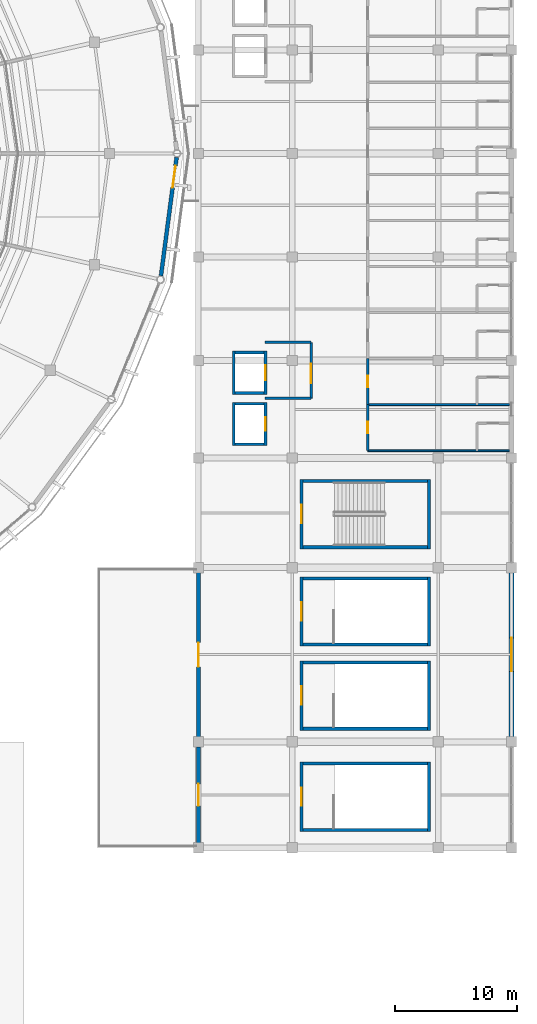
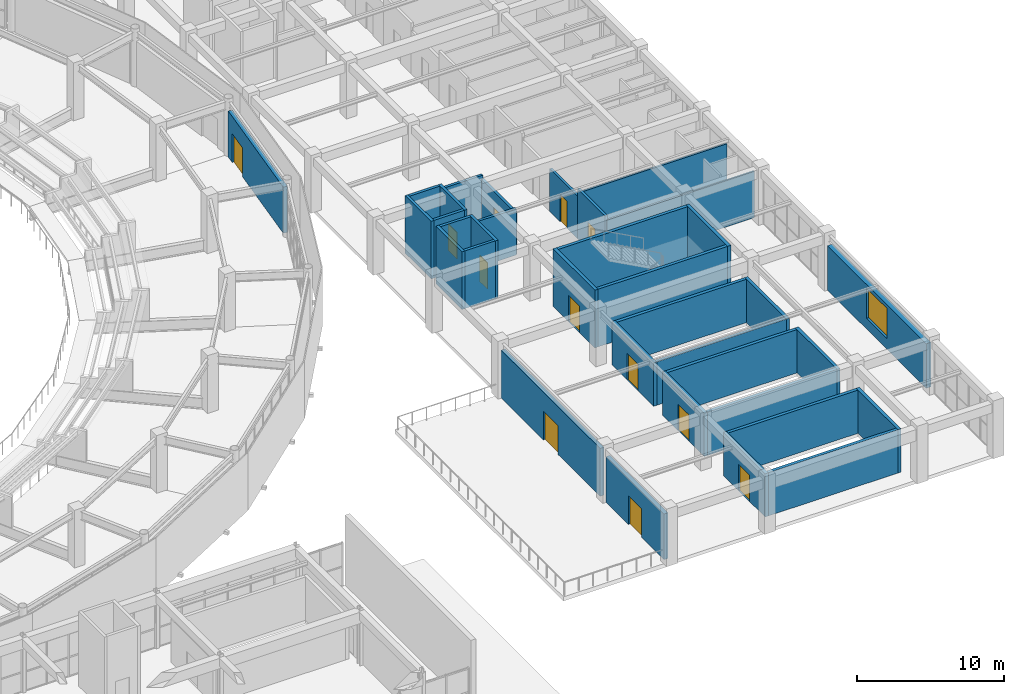
# One storey, part 103 of 122: 35 walls, 12 doors, 1 window, 13 openings.
"""IFC4 building model written with IfcOpenShell, lengths in metres."""

from ifc_helpers import new_model, si_unit, direction, frame, frame_2d, origin, place, context, subcontext, project, spatial, rectangle, extrude, material, layer, layer_set, type_object, element, fill, save


model = new_model("IFC4")

# Units and contexts
model_context = context("Model", 3, precision=1e-05, world=origin(), true_north=direction((0.0, 1.0)))
body_context = subcontext(model_context, "Body", "Model", "MODEL_VIEW")
ifc_project = project(units=[si_unit("LENGTHUNIT", "METRE"), si_unit("AREAUNIT", "SQUARE_METRE"), si_unit("VOLUMEUNIT", "CUBIC_METRE"), si_unit("PLANEANGLEUNIT", "RADIAN"), si_unit("MASSUNIT", "GRAM", prefix="KILO")], contexts=[model_context])

# Site, building, storey
site_placement = place(None, origin())
site = spatial("IfcSite", under=ifc_project, at=site_placement, CompositionType="ELEMENT")
building_placement = place(site_placement, origin())
building = spatial("IfcBuilding", under=site, at=building_placement, Name="Cuetzalor Civic Arena", CompositionType="ELEMENT")
storey_placement = place(building_placement, frame((0.0, 0.0, 16.199951171875)))
storey = spatial("IfcBuildingStorey", under=building, at=storey_placement, Name="L03", CompositionType="ELEMENT", Elevation=16.199951171875)

# Walls
ifc_material_1 = material(Name="Acoustic steel-stud gypsum partition", Category="steel")
ifc_layer_1 = layer(ifc_material_1, 0.14990234375)
ifc_layer_set_1 = layer_set([ifc_layer_1], Name="Acoustic steel-stud gypsum partition")
wall_type_1 = type_object("IfcWallType", Name="AcousticGypsumPartition_150", PredefinedType="PARTITIONING", material=ifc_layer_set_1)
for number, where, z_axis, x_axis, name in (
    (1, (70.199951171875, -24.39990234375, 0.0), (0.0, 0.0, 1.0), (1.0, 0.0, 0.0), "Interior Partition IWALL:L03:0438"),
    (2, (70.199951171875, -20.6201171875, 0.0), (0.0, 0.0, 1.0), (1.0, 0.0, 0.0), "Interior Partition IWALL:L03:0442"),
):
    element("IfcWall", number, at=place(storey_placement, frame(where, z_axis=z_axis, x_axis=x_axis)), inside=storey, type_object=wall_type_1, Name=name, PredefinedType="PARTITIONING", context=body_context, shape_type="SweptSolid", body=[
        extrude(rectangle(XDim=11.6201171875, YDim=0.14990234375, at=frame_2d((5.81005859375, 0.0))), origin(), (0.0, 0.0, 1.0), 3.844970703125),
    ])

# Wall, opening, door
ifc_material_2 = material(Name="Concrete C40/50", Category="concrete")
ifc_layer_2 = layer(ifc_material_2, 0.25)
ifc_layer_set_2 = layer_set([ifc_layer_2], Name="Concrete C40/50")
wall_type_2 = type_object("IfcWallType", Name="ConcreteCoreShearWall_250", PredefinedType="SHEAR", material=ifc_layer_set_2)
wall_1_placement = place(storey_placement, frame((64.77490234375, -55.64990234375, 0.0), z_axis=(0.0, 0.0, 1.0), x_axis=(0.0, 1.0, 0.0)))
wall_1 = element("IfcWall", 3, at=wall_1_placement, inside=storey, type_object=wall_type_2, Name="Stair Core Shear Wall ST-18-L03-W", PredefinedType="SHEAR", context=body_context, shape_type="SweptSolid", body=[
    extrude(rectangle(XDim=5.699951171875, YDim=0.25, at=frame_2d((2.85009765625, 0.0))), origin(), (0.0, 0.0, 1.0), 3.60009765625),
])
opening_1_placement = place(wall_1_placement, frame((2.10009765625, 0.0, 0.0)))
opening_1 = element("IfcOpeningElement", 4, at=opening_1_placement, cuts=wall_1, Name="Opening FD-03", PredefinedType="OPENING", context=body_context, shape_type="SweptSolid", body=[
    extrude(rectangle(XDim=1.5, YDim=2.199951171875, at=frame_2d((0.75, 1.10009765625))), frame((0.0, 0.135009765625, 0.0), z_axis=(0.0, -1.0, 0.0), x_axis=(1.0, 0.0, 0.0)), (0.0, 0.0, 1.0), 0.27001953125),
])
ifc_material_3 = material(Name="Fire-rated steel stair exit double door", Category="steel")
door_type_1 = type_object("IfcDoorType", Name="StairFireDoubleDoor_1500x2200", OperationType="DOUBLE_DOOR_SINGLE_SWING", PredefinedType="DOOR", material=ifc_material_3)
door_1_placement = place(opening_1_placement, origin())
door_1 = element("IfcDoor", 5, at=door_1_placement, inside=storey, type_object=door_type_1, Name="Fire Stair Door ST-18 L03", OperationType="DOUBLE_DOOR_SINGLE_SWING", OverallHeight=2.199951171875, OverallWidth=1.5, PredefinedType="DOOR", context=body_context, shape_type="SweptSolid", body=[
    extrude(rectangle(XDim=1.5, YDim=2.199951171875, at=frame_2d((0.75, 1.10009765625))), frame((0.0, 0.02490234375, 0.0), z_axis=(0.0, -1.0, 0.0), x_axis=(1.0, 0.0, 0.0)), (0.0, 0.0, 1.0), 0.050048828125),
])
fill(opening_1, door_1)

# Walls
wall_2_placement = place(storey_placement, frame((64.89990234375, -50.074951171875, 0.0), z_axis=(0.0, 0.0, 1.0), x_axis=(1.0, 0.0, 0.0)))
element("IfcWall", 6, at=wall_2_placement, inside=storey, type_object=wall_type_2, Name="Stair Core Shear Wall ST-18-L03-N", PredefinedType="SHEAR", context=body_context, shape_type="SweptSolid", body=[
    extrude(rectangle(XDim=10.2001953125, YDim=0.25, at=frame_2d((5.10009765625, 0.0))), origin(), (0.0, 0.0, 1.0), 3.60009765625),
])
wall_3_placement = place(storey_placement, frame((75.22509765625, -49.949951171875, 0.0), z_axis=(0.0, 0.0, 1.0), x_axis=(0.0, -1.0, 0.0)))
element("IfcWall", 7, at=wall_3_placement, inside=storey, type_object=wall_type_2, Name="Stair Core Shear Wall ST-18-L03-E", PredefinedType="SHEAR", context=body_context, shape_type="SweptSolid", body=[
    extrude(rectangle(XDim=5.699951171875, YDim=0.25, at=frame_2d((2.85009765625, 0.0))), origin(), (0.0, 0.0, 1.0), 3.60009765625),
])
wall_4_placement = place(storey_placement, frame((75.10009765625, -55.52490234375, 0.0), z_axis=(0.0, 0.0, 1.0), x_axis=(-1.0, 0.0, 0.0)))
element("IfcWall", 8, at=wall_4_placement, inside=storey, type_object=wall_type_2, Name="Stair Core Shear Wall ST-18-L03-S", PredefinedType="SHEAR", context=body_context, shape_type="SweptSolid", body=[
    extrude(rectangle(XDim=10.2001953125, YDim=0.25, at=frame_2d((5.10009765625, 0.0))), origin(), (0.0, 0.0, 1.0), 3.60009765625),
])

# Wall, opening, door
wall_5_placement = place(storey_placement, frame((64.77490234375, -47.35009765625, 0.0), z_axis=(0.0, 0.0, 1.0), x_axis=(0.0, 1.0, 0.0)))
wall_5 = element("IfcWall", 9, at=wall_5_placement, inside=storey, type_object=wall_type_2, Name="Stair Core Shear Wall ST-19-L03-W", PredefinedType="SHEAR", context=body_context, shape_type="SweptSolid", body=[
    extrude(rectangle(XDim=5.7001953125, YDim=0.25, at=frame_2d((2.85009765625, 0.0))), origin(), (0.0, 0.0, 1.0), 3.60009765625),
])
opening_2_placement = place(wall_5_placement, frame((2.10009765625, 0.0, 0.0)))
opening_2 = element("IfcOpeningElement", 10, at=opening_2_placement, cuts=wall_5, Name="Opening FD-03", PredefinedType="OPENING", context=body_context, shape_type="SweptSolid", body=[
    extrude(rectangle(XDim=1.5, YDim=2.199951171875, at=frame_2d((0.75, 1.10009765625))), frame((0.0, 0.135009765625, 0.0), z_axis=(0.0, -1.0, 0.0), x_axis=(1.0, 0.0, 0.0)), (0.0, 0.0, 1.0), 0.27001953125),
])
door_2_placement = place(opening_2_placement, origin())
door_2 = element("IfcDoor", 11, at=door_2_placement, inside=storey, type_object=door_type_1, Name="Fire Stair Door ST-19 L03", OperationType="DOUBLE_DOOR_SINGLE_SWING", OverallHeight=2.199951171875, OverallWidth=1.5, PredefinedType="DOOR", context=body_context, shape_type="SweptSolid", body=[
    extrude(rectangle(XDim=1.5, YDim=2.199951171875, at=frame_2d((0.75, 1.10009765625))), frame((0.0, 0.02490234375, 0.0), z_axis=(0.0, -1.0, 0.0), x_axis=(1.0, 0.0, 0.0)), (0.0, 0.0, 1.0), 0.050048828125),
])
fill(opening_2, door_2)

# Walls
wall_6_placement = place(storey_placement, frame((64.89990234375, -41.77490234375, 0.0), z_axis=(0.0, 0.0, 1.0), x_axis=(1.0, 0.0, 0.0)))
element("IfcWall", 12, at=wall_6_placement, inside=storey, type_object=wall_type_2, Name="Stair Core Shear Wall ST-19-L03-N", PredefinedType="SHEAR", context=body_context, shape_type="SweptSolid", body=[
    extrude(rectangle(XDim=10.2001953125, YDim=0.25, at=frame_2d((5.10009765625, 0.0))), origin(), (0.0, 0.0, 1.0), 3.60009765625),
])
wall_7_placement = place(storey_placement, frame((75.22509765625, -41.64990234375, 0.0), z_axis=(0.0, 0.0, 1.0), x_axis=(0.0, -1.0, 0.0)))
element("IfcWall", 13, at=wall_7_placement, inside=storey, type_object=wall_type_2, Name="Stair Core Shear Wall ST-19-L03-E", PredefinedType="SHEAR", context=body_context, shape_type="SweptSolid", body=[
    extrude(rectangle(XDim=5.7001953125, YDim=0.25, at=frame_2d((2.85009765625, 0.0))), origin(), (0.0, 0.0, 1.0), 3.60009765625),
])
wall_8_placement = place(storey_placement, frame((75.10009765625, -47.22509765625, 0.0), z_axis=(0.0, 0.0, 1.0), x_axis=(-1.0, 0.0, 0.0)))
element("IfcWall", 14, at=wall_8_placement, inside=storey, type_object=wall_type_2, Name="Stair Core Shear Wall ST-19-L03-S", PredefinedType="SHEAR", context=body_context, shape_type="SweptSolid", body=[
    extrude(rectangle(XDim=10.2001953125, YDim=0.25, at=frame_2d((5.10009765625, 0.0))), origin(), (0.0, 0.0, 1.0), 3.60009765625),
])

# Wall, opening, door
wall_9_placement = place(storey_placement, frame((64.77490234375, -40.449951171875, 0.0), z_axis=(0.0, 0.0, 1.0), x_axis=(0.0, 1.0, 0.0)))
wall_9 = element("IfcWall", 15, at=wall_9_placement, inside=storey, type_object=wall_type_2, Name="Stair Core Shear Wall ST-20-L03-W", PredefinedType="SHEAR", context=body_context, shape_type="SweptSolid", body=[
    extrude(rectangle(XDim=5.699951171875, YDim=0.25, at=frame_2d((2.85009765625, 0.0))), origin(), (0.0, 0.0, 1.0), 3.60009765625),
])
opening_3_placement = place(wall_9_placement, frame((2.10009765625, 0.0, 0.0)))
opening_3 = element("IfcOpeningElement", 16, at=opening_3_placement, cuts=wall_9, Name="Opening FD-03", PredefinedType="OPENING", context=body_context, shape_type="SweptSolid", body=[
    extrude(rectangle(XDim=1.5, YDim=2.199951171875, at=frame_2d((0.75, 1.10009765625))), frame((0.0, 0.135009765625, 0.0), z_axis=(0.0, -1.0, 0.0), x_axis=(1.0, 0.0, 0.0)), (0.0, 0.0, 1.0), 0.27001953125),
])
door_3_placement = place(opening_3_placement, origin())
door_3 = element("IfcDoor", 17, at=door_3_placement, inside=storey, type_object=door_type_1, Name="Fire Stair Door ST-20 L03", OperationType="DOUBLE_DOOR_SINGLE_SWING", OverallHeight=2.199951171875, OverallWidth=1.5, PredefinedType="DOOR", context=body_context, shape_type="SweptSolid", body=[
    extrude(rectangle(XDim=1.5, YDim=2.199951171875, at=frame_2d((0.75, 1.10009765625))), frame((0.0, 0.02490234375, 0.0), z_axis=(0.0, -1.0, 0.0), x_axis=(1.0, 0.0, 0.0)), (0.0, 0.0, 1.0), 0.050048828125),
])
fill(opening_3, door_3)

# Walls
wall_10_placement = place(storey_placement, frame((64.89990234375, -34.875, 0.0), z_axis=(0.0, 0.0, 1.0), x_axis=(1.0, 0.0, 0.0)))
element("IfcWall", 18, at=wall_10_placement, inside=storey, type_object=wall_type_2, Name="Stair Core Shear Wall ST-20-L03-N", PredefinedType="SHEAR", context=body_context, shape_type="SweptSolid", body=[
    extrude(rectangle(XDim=10.2001953125, YDim=0.25, at=frame_2d((5.10009765625, 0.0))), origin(), (0.0, 0.0, 1.0), 3.60009765625),
])
wall_11_placement = place(storey_placement, frame((75.22509765625, -34.75, 0.0), z_axis=(0.0, 0.0, 1.0), x_axis=(0.0, -1.0, 0.0)))
element("IfcWall", 19, at=wall_11_placement, inside=storey, type_object=wall_type_2, Name="Stair Core Shear Wall ST-20-L03-E", PredefinedType="SHEAR", context=body_context, shape_type="SweptSolid", body=[
    extrude(rectangle(XDim=5.699951171875, YDim=0.25, at=frame_2d((2.85009765625, 0.0))), origin(), (0.0, 0.0, 1.0), 3.60009765625),
])
wall_12_placement = place(storey_placement, frame((75.10009765625, -40.324951171875, 0.0), z_axis=(0.0, 0.0, 1.0), x_axis=(-1.0, 0.0, 0.0)))
element("IfcWall", 20, at=wall_12_placement, inside=storey, type_object=wall_type_2, Name="Stair Core Shear Wall ST-20-L03-S", PredefinedType="SHEAR", context=body_context, shape_type="SweptSolid", body=[
    extrude(rectangle(XDim=10.2001953125, YDim=0.25, at=frame_2d((5.10009765625, 0.0))), origin(), (0.0, 0.0, 1.0), 3.60009765625),
])

# Wall, opening, door
wall_13_placement = place(storey_placement, frame((64.77490234375, -32.449951171875, 0.0), z_axis=(0.0, 0.0, 1.0), x_axis=(0.0, 1.0, 0.0)))
wall_13 = element("IfcWall", 21, at=wall_13_placement, inside=storey, type_object=wall_type_2, Name="Stair Core Shear Wall ST-21-L03-W", PredefinedType="SHEAR", context=body_context, shape_type="SweptSolid", body=[
    extrude(rectangle(XDim=5.699951171875, YDim=0.25, at=frame_2d((2.85009765625, 0.0))), origin(), (0.0, 0.0, 1.0), 4.800048828125),
])
opening_4_placement = place(wall_13_placement, frame((2.10009765625, 0.0, 0.0)))
opening_4 = element("IfcOpeningElement", 22, at=opening_4_placement, cuts=wall_13, Name="Opening FD-03", PredefinedType="OPENING", context=body_context, shape_type="SweptSolid", body=[
    extrude(rectangle(XDim=1.5, YDim=2.199951171875, at=frame_2d((0.75, 1.10009765625))), frame((0.0, 0.135009765625, 0.0), z_axis=(0.0, -1.0, 0.0), x_axis=(1.0, 0.0, 0.0)), (0.0, 0.0, 1.0), 0.27001953125),
])
door_4_placement = place(opening_4_placement, origin())
door_4 = element("IfcDoor", 23, at=door_4_placement, inside=storey, type_object=door_type_1, Name="Fire Stair Door ST-21 L03", OperationType="DOUBLE_DOOR_SINGLE_SWING", OverallHeight=2.199951171875, OverallWidth=1.5, PredefinedType="DOOR", context=body_context, shape_type="SweptSolid", body=[
    extrude(rectangle(XDim=1.5, YDim=2.199951171875, at=frame_2d((0.75, 1.10009765625))), frame((0.0, 0.02490234375, 0.0), z_axis=(0.0, -1.0, 0.0), x_axis=(1.0, 0.0, 0.0)), (0.0, 0.0, 1.0), 0.050048828125),
])
fill(opening_4, door_4)

# Walls
wall_14_placement = place(storey_placement, frame((64.89990234375, -26.875, 0.0), z_axis=(0.0, 0.0, 1.0), x_axis=(1.0, 0.0, 0.0)))
element("IfcWall", 24, at=wall_14_placement, inside=storey, type_object=wall_type_2, Name="Stair Core Shear Wall ST-21-L03-N", PredefinedType="SHEAR", context=body_context, shape_type="SweptSolid", body=[
    extrude(rectangle(XDim=10.2001953125, YDim=0.25, at=frame_2d((5.10009765625, 0.0))), origin(), (0.0, 0.0, 1.0), 4.800048828125),
])
wall_15_placement = place(storey_placement, frame((75.22509765625, -26.75, 0.0), z_axis=(0.0, 0.0, 1.0), x_axis=(0.0, -1.0, 0.0)))
element("IfcWall", 25, at=wall_15_placement, inside=storey, type_object=wall_type_2, Name="Stair Core Shear Wall ST-21-L03-E", PredefinedType="SHEAR", context=body_context, shape_type="SweptSolid", body=[
    extrude(rectangle(XDim=5.699951171875, YDim=0.25, at=frame_2d((2.85009765625, 0.0))), origin(), (0.0, 0.0, 1.0), 4.800048828125),
])
wall_16_placement = place(storey_placement, frame((75.10009765625, -32.324951171875, 0.0), z_axis=(0.0, 0.0, 1.0), x_axis=(-1.0, 0.0, 0.0)))
element("IfcWall", 26, at=wall_16_placement, inside=storey, type_object=wall_type_2, Name="Stair Core Shear Wall ST-21-L03-S", PredefinedType="SHEAR", context=body_context, shape_type="SweptSolid", body=[
    extrude(rectangle(XDim=10.2001953125, YDim=0.25, at=frame_2d((5.10009765625, 0.0))), origin(), (0.0, 0.0, 1.0), 4.800048828125),
])

# Wall, opening, door
ifc_material_4 = material(Name="Fire-rated masonry and gypsum partition", Category="masonry")
ifc_layer_3 = layer(ifc_material_4, 0.199951171875)
ifc_layer_set_3 = layer_set([ifc_layer_3], Name="Fire-rated masonry and gypsum partition")
wall_type_3 = type_object("IfcWallType", Name="FireCompartmentWall_200", PredefinedType="PARTITIONING", material=ifc_layer_set_3)
wall_17_placement = place(storey_placement, frame((65.550048828125, -15.5, 0.0), z_axis=(0.0, 0.0, 1.0), x_axis=(0.0, -1.0, 0.0)))
wall_17 = element("IfcWall", 27, at=wall_17_placement, inside=storey, type_object=wall_type_3, Name="Interior Partition IWALL:L03:0046", PredefinedType="PARTITIONING", context=body_context, shape_type="SweptSolid", body=[
    extrude(rectangle(XDim=4.60009765625, YDim=0.199951171875, at=frame_2d((2.300048828125, 0.0))), origin(), (0.0, 0.0, 1.0), 3.545166015625),
])
opening_5_placement = place(wall_17_placement, frame((1.75, 0.0, 0.0)))
opening_5 = element("IfcOpeningElement", 28, at=opening_5_placement, cuts=wall_17, Name="Opening FD-05", PredefinedType="OPENING", context=body_context, shape_type="SweptSolid", body=[
    extrude(rectangle(XDim=1.60009765625, YDim=2.199951171875, at=frame_2d((0.800048828125, 1.10009765625))), frame((0.0, 0.10986328125, 0.0), z_axis=(0.0, -1.0, 0.0), x_axis=(1.0, 0.0, 0.0)), (0.0, 0.0, 1.0), 0.219970703125),
])
ifc_material_5 = material(Name="Fire-rated smoke-seal lobby double door", Category="steel")
door_type_2 = type_object("IfcDoorType", Name="FireLobbyDoubleDoor_1600x2200", OperationType="DOUBLE_DOOR_SINGLE_SWING", PredefinedType="DOOR", material=ifc_material_5)
door_5_placement = place(opening_5_placement, origin())
door_5 = element("IfcDoor", 29, at=door_5_placement, inside=storey, type_object=door_type_2, Name="Door to Firefighting Lift Lobby LF-03 L03", OperationType="DOUBLE_DOOR_SINGLE_SWING", OverallHeight=2.199951171875, OverallWidth=1.60009765625, PredefinedType="DOOR", context=body_context, shape_type="SweptSolid", body=[
    extrude(rectangle(XDim=1.60009765625, YDim=2.199951171875, at=frame_2d((0.800048828125, 1.10009765625))), frame((0.0, 0.02490234375, 0.0), z_axis=(0.0, -1.0, 0.0), x_axis=(1.0, 0.0, 0.0)), (0.0, 0.0, 1.0), 0.050048828125),
])
fill(opening_5, door_5)

# Walls
for number, where, z_axis, x_axis, name in (
    (30, (61.75, -15.5, 0.0), (0.0, 0.0, 1.0), (1.0, 0.0, 0.0), "Interior Partition IWALL:L03:0047"),
    (31, (65.550048828125, -20.10009765625, 0.0), (0.0, 0.0, 1.0), (-1.0, 0.0, 0.0), "Interior Partition IWALL:L03:0048"),
):
    element("IfcWall", number, at=place(storey_placement, frame(where, z_axis=z_axis, x_axis=x_axis)), inside=storey, type_object=wall_type_3, Name=name, PredefinedType="PARTITIONING", context=body_context, shape_type="SweptSolid", body=[
        extrude(rectangle(XDim=3.800048828125, YDim=0.199951171875, at=frame_2d((1.89990234375, 0.0))), origin(), (0.0, 0.0, 1.0), 3.844970703125),
    ])

# Wall, opening, door
wall_18_placement = place(storey_placement, frame((70.199951171875, -24.39990234375, 0.0), z_axis=(0.0, 0.0, 1.0), x_axis=(0.0, 1.0, 0.0)))
wall_18 = element("IfcWall", 32, at=wall_18_placement, inside=storey, type_object=wall_type_3, Name="Interior Partition IWALL:L03:0441", PredefinedType="PARTITIONING", context=body_context, shape_type="SweptSolid", body=[
    extrude(rectangle(XDim=3.77978515625, YDim=0.199951171875, at=frame_2d((1.889892578125, 0.0))), origin(), (0.0, 0.0, 1.0), 4.18212890625),
])
opening_6_placement = place(wall_18_placement, frame((1.4150390625, 0.0, 0.0)))
opening_6 = element("IfcOpeningElement", 33, at=opening_6_placement, cuts=wall_18, Name="Opening ID-05", PredefinedType="OPENING", context=body_context, shape_type="SweptSolid", body=[
    extrude(rectangle(XDim=0.949951171875, YDim=2.25, at=frame_2d((0.47509765625, 1.125))), frame((0.0, 0.10986328125, 0.0), z_axis=(0.0, -1.0, 0.0), x_axis=(1.0, 0.0, 0.0)), (0.0, 0.0, 1.0), 0.219970703125),
])
ifc_material_6 = material(Name="Bronze-clad fire-rated acoustic timber door", Category="wood")
door_type_3 = type_object("IfcDoorType", Name="SuiteEntryDoor_950x2150", OperationType="NOTDEFINED", PredefinedType="DOOR", material=ifc_material_6)
door_6_placement = place(opening_6_placement, origin())
door_6 = element("IfcDoor", 34, at=door_6_placement, inside=storey, type_object=door_type_3, Name="Door to Private Viewing Suite 312", OperationType="SINGLE_SWING_RIGHT", OverallHeight=2.25, OverallWidth=0.949951171875, PredefinedType="DOOR", context=body_context, shape_type="SweptSolid", body=[
    extrude(rectangle(XDim=0.949951171875, YDim=2.25, at=frame_2d((0.47509765625, 1.125))), frame((0.0, 0.02490234375, 0.0), z_axis=(0.0, -1.0, 0.0), x_axis=(1.0, 0.0, 0.0)), (0.0, 0.0, 1.0), 0.050048828125),
])
fill(opening_6, door_6)

wall_19_placement = place(storey_placement, frame((70.199951171875, -20.6201171875, 0.0), z_axis=(0.0, 0.0, 1.0), x_axis=(0.0, 1.0, 0.0)))
wall_19 = element("IfcWall", 35, at=wall_19_placement, inside=storey, type_object=wall_type_3, Name="Interior Partition IWALL:L03:0445", PredefinedType="PARTITIONING", context=body_context, shape_type="SweptSolid", body=[
    extrude(rectangle(XDim=3.780029296875, YDim=0.199951171875, at=frame_2d((1.89013671875, 0.0))), origin(), (0.0, 0.0, 1.0), 3.545166015625),
])
opening_7_placement = place(wall_19_placement, frame((1.4150390625, 0.0, 0.0)))
opening_7 = element("IfcOpeningElement", 36, at=opening_7_placement, cuts=wall_19, Name="Opening ID-05", PredefinedType="OPENING", context=body_context, shape_type="SweptSolid", body=[
    extrude(rectangle(XDim=0.949951171875, YDim=2.25, at=frame_2d((0.47509765625, 1.125))), frame((0.0, 0.10986328125, 0.0), z_axis=(0.0, -1.0, 0.0), x_axis=(1.0, 0.0, 0.0)), (0.0, 0.0, 1.0), 0.219970703125),
])
door_7_placement = place(opening_7_placement, origin())
door_7 = element("IfcDoor", 37, at=door_7_placement, inside=storey, type_object=door_type_3, Name="Door to Private Viewing Suite 313", OperationType="SINGLE_SWING_RIGHT", OverallHeight=2.25, OverallWidth=0.949951171875, PredefinedType="DOOR", context=body_context, shape_type="SweptSolid", body=[
    extrude(rectangle(XDim=0.949951171875, YDim=2.25, at=frame_2d((0.47509765625, 1.125))), frame((0.0, 0.02490234375, 0.0), z_axis=(0.0, -1.0, 0.0), x_axis=(1.0, 0.0, 0.0)), (0.0, 0.0, 1.0), 0.050048828125),
])
fill(opening_7, door_7)

ifc_material_7 = material(Name="Precast concrete C40/50 insulated cladding", Category="concrete")
ifc_layer_4 = layer(ifc_material_7, 0.320068359375)
ifc_layer_set_4 = layer_set([ifc_layer_4], Name="Precast concrete C40/50 insulated cladding")
wall_type_4 = type_object("IfcWallType", Name="InsulatedPrecastWall_320", PredefinedType="SOLIDWALL", material=ifc_layer_set_4)
wall_20_placement = place(storey_placement, frame((54.507568359375, -0.321533203125, 0.0), z_axis=(0.0, 0.0, 1.0), x_axis=(-0.130894016981, -0.991396366908, 0.0)))
wall_20 = element("IfcWall", 38, at=wall_20_placement, inside=storey, type_object=wall_type_4, Name="Drum Acoustic Backing Wall L03-056", PredefinedType="SOLIDWALL", context=body_context, shape_type="SweptSolid", body=[
    extrude(rectangle(XDim=9.799560546875, YDim=0.320068359375, at=frame_2d((4.89990234375, 0.0))), origin(), (0.0, 0.0, 1.0), 3.83203125),
])
opening_8_placement = place(wall_20_placement, frame((0.699951171875, 0.0, 0.0)))
opening_8 = element("IfcOpeningElement", 39, at=opening_8_placement, cuts=wall_20, Name="Opening ED-09", PredefinedType="OPENING", context=body_context, shape_type="SweptSolid", body=[
    extrude(rectangle(XDim=1.800048828125, YDim=2.39990234375, at=frame_2d((0.89990234375, 1.199951171875))), frame((0.0, 0.169921875, 0.0), z_axis=(0.0, -1.0, 0.0), x_axis=(1.0, 0.0, 0.0)), (0.0, 0.0, 1.0), 0.340087890625),
])
ifc_material_8 = material(Name="Thermally broken bronze steel and laminated glass", Category="steel")
door_type_4 = type_object("IfcDoorType", Name="RoofGardenGlazedDoor_1800x2400", OperationType="DOUBLE_DOOR_SINGLE_SWING", PredefinedType="DOOR", material=ifc_material_8)
door_8_placement = place(opening_8_placement, origin())
door_8 = element("IfcDoor", 40, at=door_8_placement, inside=storey, type_object=door_type_4, Name="Seismic Bridge Circulation Door L03-S28", OperationType="DOUBLE_DOOR_SINGLE_SWING", OverallHeight=2.39990234375, OverallWidth=1.800048828125, PredefinedType="DOOR", context=body_context, shape_type="SweptSolid", body=[
    extrude(rectangle(XDim=1.800048828125, YDim=2.39990234375, at=frame_2d((0.89990234375, 1.199951171875))), frame((0.0, 0.02490234375, 0.0), z_axis=(0.0, -1.0, 0.0), x_axis=(1.0, 0.0, 0.0)), (0.0, 0.0, 1.0), 0.050048828125),
])
fill(opening_8, door_8)

wall_21_placement = place(storey_placement, frame((56.300048828125, -56.593017578125, 0.0), z_axis=(0.0, 0.0, 1.0), x_axis=(0.0, 1.0, 0.0)))
wall_21 = element("IfcWall", 41, at=wall_21_placement, inside=storey, type_object=wall_type_4, Name="V4E L03 Roof Garden Access Wall L03-182", PredefinedType="SOLIDWALL", context=body_context, shape_type="SweptSolid", body=[
    extrude(rectangle(XDim=7.885986328125, YDim=0.320068359375, at=frame_2d((3.94287109375, 0.0))), origin(), (0.0, 0.0, 1.0), 3.800048828125),
])
opening_9_placement = place(wall_21_placement, frame((3.04296875, 0.0, 0.0)))
opening_9 = element("IfcOpeningElement", 42, at=opening_9_placement, cuts=wall_21, Name="Opening ED-09", PredefinedType="OPENING", context=body_context, shape_type="SweptSolid", body=[
    extrude(rectangle(XDim=1.800048828125, YDim=2.39990234375, at=frame_2d((0.89990234375, 1.199951171875))), frame((0.0, 0.169921875, 0.0), z_axis=(0.0, -1.0, 0.0), x_axis=(1.0, 0.0, 0.0)), (0.0, 0.0, 1.0), 0.340087890625),
])
door_9_placement = place(opening_9_placement, origin())
door_9 = element("IfcDoor", 43, at=door_9_placement, inside=storey, type_object=door_type_4, Name="Glazed Door to Planted Roof Garden V4E L03-1", OperationType="DOUBLE_DOOR_SINGLE_SWING", OverallHeight=2.39990234375, OverallWidth=1.800048828125, PredefinedType="DOOR", context=body_context, shape_type="SweptSolid", body=[
    extrude(rectangle(XDim=1.800048828125, YDim=2.39990234375, at=frame_2d((0.89990234375, 1.199951171875))), frame((0.0, 0.02490234375, 0.0), z_axis=(0.0, -1.0, 0.0), x_axis=(1.0, 0.0, 0.0)), (0.0, 0.0, 1.0), 0.050048828125),
])
fill(opening_9, door_9)

wall_22_placement = place(storey_placement, frame((56.300048828125, -47.89306640625, 0.0), z_axis=(0.0, 0.0, 1.0), x_axis=(0.0, 1.0, 0.0)))
wall_22 = element("IfcWall", 44, at=wall_22_placement, inside=storey, type_object=wall_type_4, Name="V4E L03 Roof Garden Access Wall L03-183", PredefinedType="SOLIDWALL", context=body_context, shape_type="SweptSolid", body=[
    extrude(rectangle(XDim=13.486083984375, YDim=0.320068359375, at=frame_2d((6.7431640625, 0.0))), origin(), (0.0, 0.0, 1.0), 3.97705078125),
])
opening_10_placement = place(wall_22_placement, frame((5.742919921875, 0.0, 0.0)))
opening_10 = element("IfcOpeningElement", 45, at=opening_10_placement, cuts=wall_22, Name="Opening ED-10", PredefinedType="OPENING", context=body_context, shape_type="SweptSolid", body=[
    extrude(rectangle(XDim=2.0, YDim=2.39990234375, at=frame_2d((1.0, 1.199951171875))), frame((0.0, 0.169921875, 0.0), z_axis=(0.0, -1.0, 0.0), x_axis=(1.0, 0.0, 0.0)), (0.0, 0.0, 1.0), 0.340087890625),
])
ifc_material_9 = material(Name="Thermally broken bronze steel and laminated glass", Category="steel")
door_type_5 = type_object("IfcDoorType", Name="RoofGardenGlazedDoor_2000x2400", OperationType="DOUBLE_DOOR_SINGLE_SWING", PredefinedType="DOOR", material=ifc_material_9)
door_10_placement = place(opening_10_placement, origin())
door_10 = element("IfcDoor", 46, at=door_10_placement, inside=storey, type_object=door_type_5, Name="Glazed Door to Planted Roof Garden V4E L03-2", OperationType="DOUBLE_DOOR_SINGLE_SWING", OverallHeight=2.39990234375, OverallWidth=2.0, PredefinedType="DOOR", context=body_context, shape_type="SweptSolid", body=[
    extrude(rectangle(XDim=2.0, YDim=2.39990234375, at=frame_2d((1.0, 1.199951171875))), frame((0.0, 0.02490234375, 0.0), z_axis=(0.0, -1.0, 0.0), x_axis=(1.0, 0.0, 0.0)), (0.0, 0.0, 1.0), 0.050048828125),
])
fill(opening_10, door_10)

# Walls
ifc_material_10 = material(Name="Concrete C40/50", Category="concrete")
ifc_layer_5 = layer(ifc_material_10, 0.219970703125)
ifc_layer_set_5 = layer_set([ifc_layer_5], Name="Concrete C40/50")
wall_type_5 = type_object("IfcWallType", Name="LiftShaftShearWall_220", PredefinedType="SHEAR", material=ifc_layer_set_5)
wall_23_placement = place(storey_placement, frame((59.18994140625, -19.77001953125, 0.0), z_axis=(0.0, 0.0, 1.0), x_axis=(0.0, 1.0, 0.0)))
element("IfcWall", 47, at=wall_23_placement, inside=storey, type_object=wall_type_5, Name="Lift Shaft Wall LF-03-L03-W", PredefinedType="SHEAR", context=body_context, shape_type="SweptSolid", body=[
    extrude(rectangle(XDim=3.5400390625, YDim=0.219970703125, at=frame_2d((1.77001953125, 0.0))), origin(), (0.0, 0.0, 1.0), 4.800048828125),
])
wall_24_placement = place(storey_placement, frame((59.300048828125, -16.340087890625, 0.0), z_axis=(0.0, 0.0, 1.0), x_axis=(1.0, 0.0, 0.0)))
element("IfcWall", 48, at=wall_24_placement, inside=storey, type_object=wall_type_5, Name="Lift Shaft Wall LF-03-L03-N", PredefinedType="SHEAR", context=body_context, shape_type="SweptSolid", body=[
    extrude(rectangle(XDim=2.39990234375, YDim=0.219970703125, at=frame_2d((1.199951171875, 0.0))), origin(), (0.0, 0.0, 1.0), 4.800048828125),
])

# Wall, opening, door
wall_25_placement = place(storey_placement, frame((61.81005859375, -16.22998046875, 0.0), z_axis=(0.0, 0.0, 1.0), x_axis=(0.0, -1.0, 0.0)))
wall_25 = element("IfcWall", 49, at=wall_25_placement, inside=storey, type_object=wall_type_5, Name="Lift Shaft Wall LF-03-L03-E", PredefinedType="SHEAR", context=body_context, shape_type="SweptSolid", body=[
    extrude(rectangle(XDim=3.5400390625, YDim=0.219970703125, at=frame_2d((1.77001953125, 0.0))), origin(), (0.0, 0.0, 1.0), 4.800048828125),
])
opening_11_placement = place(wall_25_placement, frame((1.169921875, 0.0, 0.0)))
opening_11 = element("IfcOpeningElement", 50, at=opening_11_placement, cuts=wall_25, Name="Opening LD-02", PredefinedType="OPENING", context=body_context, shape_type="SweptSolid", body=[
    extrude(rectangle(XDim=1.199951171875, YDim=2.199951171875, at=frame_2d((0.60009765625, 1.10009765625))), frame((0.0, 0.1201171875, 0.0), z_axis=(0.0, -1.0, 0.0), x_axis=(1.0, 0.0, 0.0)), (0.0, 0.0, 1.0), 0.239990234375),
])
ifc_material_11 = material(Name="Fire-rated stainless steel sliding lift landing door", Category="steel")
door_type_6 = type_object("IfcDoorType", Name="LiftLandingSlidingDoor_1200x2200", OperationType="SLIDING_TO_LEFT", PredefinedType="DOOR", material=ifc_material_11)
door_11_placement = place(opening_11_placement, origin())
door_11 = element("IfcDoor", 51, at=door_11_placement, inside=storey, type_object=door_type_6, Name="Lift Landing Sliding Door LF-03 L03", OperationType="SLIDING_TO_LEFT", OverallHeight=2.199951171875, OverallWidth=1.199951171875, PredefinedType="DOOR", context=body_context, shape_type="SweptSolid", body=[
    extrude(rectangle(XDim=1.199951171875, YDim=2.199951171875, at=frame_2d((0.60009765625, 1.10009765625))), frame((0.0, 0.02490234375, 0.0), z_axis=(0.0, -1.0, 0.0), x_axis=(1.0, 0.0, 0.0)), (0.0, 0.0, 1.0), 0.050048828125),
])
fill(opening_11, door_11)

# Walls
wall_26_placement = place(storey_placement, frame((61.699951171875, -19.659912109375, 0.0), z_axis=(0.0, 0.0, 1.0), x_axis=(-1.0, 0.0, 0.0)))
element("IfcWall", 52, at=wall_26_placement, inside=storey, type_object=wall_type_5, Name="Lift Shaft Wall LF-03-L03-S", PredefinedType="SHEAR", context=body_context, shape_type="SweptSolid", body=[
    extrude(rectangle(XDim=2.39990234375, YDim=0.219970703125, at=frame_2d((1.199951171875, 0.0))), origin(), (0.0, 0.0, 1.0), 4.800048828125),
])
wall_27_placement = place(storey_placement, frame((59.18994140625, -23.969970703125, 0.0), z_axis=(0.0, 0.0, 1.0), x_axis=(0.0, 1.0, 0.0)))
element("IfcWall", 53, at=wall_27_placement, inside=storey, type_object=wall_type_5, Name="Lift Shaft Wall LP-05-L03-W", PredefinedType="SHEAR", context=body_context, shape_type="SweptSolid", body=[
    extrude(rectangle(XDim=3.5400390625, YDim=0.219970703125, at=frame_2d((1.77001953125, 0.0))), origin(), (0.0, 0.0, 1.0), 4.800048828125),
])
wall_28_placement = place(storey_placement, frame((59.300048828125, -20.5400390625, 0.0), z_axis=(0.0, 0.0, 1.0), x_axis=(1.0, 0.0, 0.0)))
element("IfcWall", 54, at=wall_28_placement, inside=storey, type_object=wall_type_5, Name="Lift Shaft Wall LP-05-L03-N", PredefinedType="SHEAR", context=body_context, shape_type="SweptSolid", body=[
    extrude(rectangle(XDim=2.39990234375, YDim=0.219970703125, at=frame_2d((1.199951171875, 0.0))), origin(), (0.0, 0.0, 1.0), 4.800048828125),
])

# Wall, opening, door
wall_29_placement = place(storey_placement, frame((61.81005859375, -20.429931640625, 0.0), z_axis=(0.0, 0.0, 1.0), x_axis=(0.0, -1.0, 0.0)))
wall_29 = element("IfcWall", 55, at=wall_29_placement, inside=storey, type_object=wall_type_5, Name="Lift Shaft Wall LP-05-L03-E", PredefinedType="SHEAR", context=body_context, shape_type="SweptSolid", body=[
    extrude(rectangle(XDim=3.5400390625, YDim=0.219970703125, at=frame_2d((1.77001953125, 0.0))), origin(), (0.0, 0.0, 1.0), 4.800048828125),
])
opening_12_placement = place(wall_29_placement, frame((1.219970703125, 0.0, 0.0)))
opening_12 = element("IfcOpeningElement", 56, at=opening_12_placement, cuts=wall_29, Name="Opening LD-01", PredefinedType="OPENING", context=body_context, shape_type="SweptSolid", body=[
    extrude(rectangle(XDim=1.10009765625, YDim=2.199951171875, at=frame_2d((0.550048828125, 1.10009765625))), frame((0.0, 0.1201171875, 0.0), z_axis=(0.0, -1.0, 0.0), x_axis=(1.0, 0.0, 0.0)), (0.0, 0.0, 1.0), 0.239990234375),
])
ifc_material_12 = material(Name="Brushed stainless steel sliding lift landing door", Category="steel")
door_type_7 = type_object("IfcDoorType", Name="LiftLandingSlidingDoor_1100x2200", OperationType="SLIDING_TO_LEFT", PredefinedType="DOOR", material=ifc_material_12)
door_12_placement = place(opening_12_placement, origin())
door_12 = element("IfcDoor", 57, at=door_12_placement, inside=storey, type_object=door_type_7, Name="Lift Landing Sliding Door LP-05 L03", OperationType="SLIDING_TO_LEFT", OverallHeight=2.199951171875, OverallWidth=1.10009765625, PredefinedType="DOOR", context=body_context, shape_type="SweptSolid", body=[
    extrude(rectangle(XDim=1.10009765625, YDim=2.199951171875, at=frame_2d((0.550048828125, 1.10009765625))), frame((0.0, 0.02490234375, 0.0), z_axis=(0.0, -1.0, 0.0), x_axis=(1.0, 0.0, 0.0)), (0.0, 0.0, 1.0), 0.050048828125),
])
fill(opening_12, door_12)

# Wall
wall_30_placement = place(storey_placement, frame((61.699951171875, -23.860107421875, 0.0), z_axis=(0.0, 0.0, 1.0), x_axis=(-1.0, 0.0, 0.0)))
element("IfcWall", 58, at=wall_30_placement, inside=storey, type_object=wall_type_5, Name="Lift Shaft Wall LP-05-L03-S", PredefinedType="SHEAR", context=body_context, shape_type="SweptSolid", body=[
    extrude(rectangle(XDim=2.39990234375, YDim=0.219970703125, at=frame_2d((1.199951171875, 0.0))), origin(), (0.0, 0.0, 1.0), 4.800048828125),
])

# Wall, opening, window
ifc_material_13 = material(Name="Polychrome Talavera ceramic on Concrete C35/45", Category="concrete")
ifc_layer_6 = layer(ifc_material_13, 0.3798828125)
ifc_layer_set_6 = layer_set([ifc_layer_6], Name="Polychrome Talavera ceramic on Concrete C35/45")
wall_type_6 = type_object("IfcWallType", Name="TalaveraSpandrelWall_380", PredefinedType="SOLIDWALL", material=ifc_layer_set_6)
wall_31_placement = place(storey_placement, frame((82.0, -34.406982421875, 0.0), z_axis=(0.0, 0.0, 1.0), x_axis=(0.0, -1.0, 0.0)))
wall_31 = element("IfcWall", 59, at=wall_31_placement, inside=storey, type_object=wall_type_6, Name="V4E Outer Talavera Wall L03-169", PredefinedType="SOLIDWALL", context=body_context, shape_type="SweptSolid", body=[
    extrude(rectangle(XDim=13.486083984375, YDim=0.3798828125, at=frame_2d((6.7431640625, 0.0))), origin(), (0.0, 0.0, 1.0), 3.699951171875),
])
opening_13_placement = place(wall_31_placement, frame((5.367919921875, 0.0, 0.89990234375)))
opening_13 = element("IfcOpeningElement", 60, at=opening_13_placement, cuts=wall_31, Name="Opening WN-54", PredefinedType="OPENING", context=body_context, shape_type="SweptSolid", body=[
    extrude(rectangle(XDim=2.75, YDim=2.5, at=frame_2d((1.375, 1.25))), frame((0.0, 0.199951171875, 0.0), z_axis=(0.0, -1.0, 0.0), x_axis=(1.0, 0.0, 0.0)), (0.0, 0.0, 1.0), 0.39990234375),
])
ifc_material_14 = material(Name="Anodised bronze aluminium and low-E solar glass", Category="aluminium")
window_type = type_object("IfcWindowType", Name="BronzeThermalWindow_2750x2500", PartitioningType="DOUBLE_PANEL_VERTICAL", PredefinedType="WINDOW", material=ifc_material_14)
window_placement = place(opening_13_placement, origin())
window = element("IfcWindow", 61, at=window_placement, inside=storey, type_object=window_type, Name="V4E Facade Window L03-0054", OverallHeight=2.5, OverallWidth=2.75, PartitioningType="SINGLE_PANEL", PredefinedType="WINDOW", context=body_context, shape_type="SweptSolid", body=[
    extrude(rectangle(XDim=2.75, YDim=2.5, at=frame_2d((1.375, 1.25))), frame((0.0, 0.030029296875, 0.0), z_axis=(0.0, -1.0, 0.0), x_axis=(1.0, 0.0, 0.0)), (0.0, 0.0, 1.0), 0.06005859375),
])
fill(opening_13, window)

save(model, "model.ifc")
